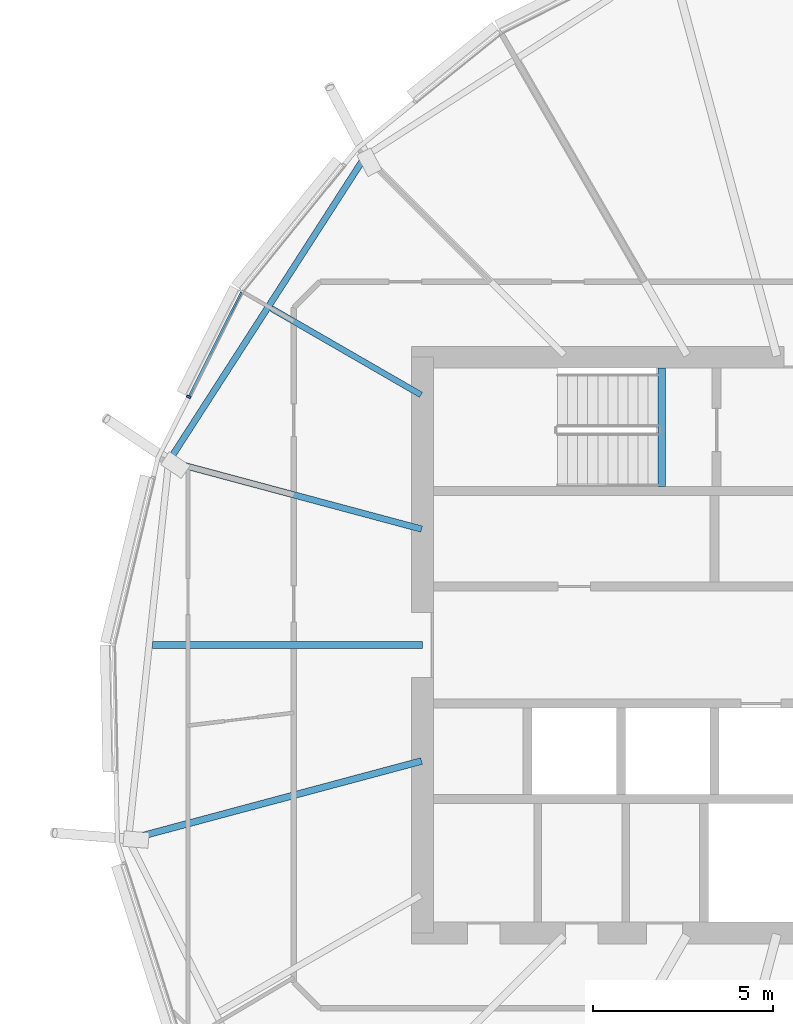
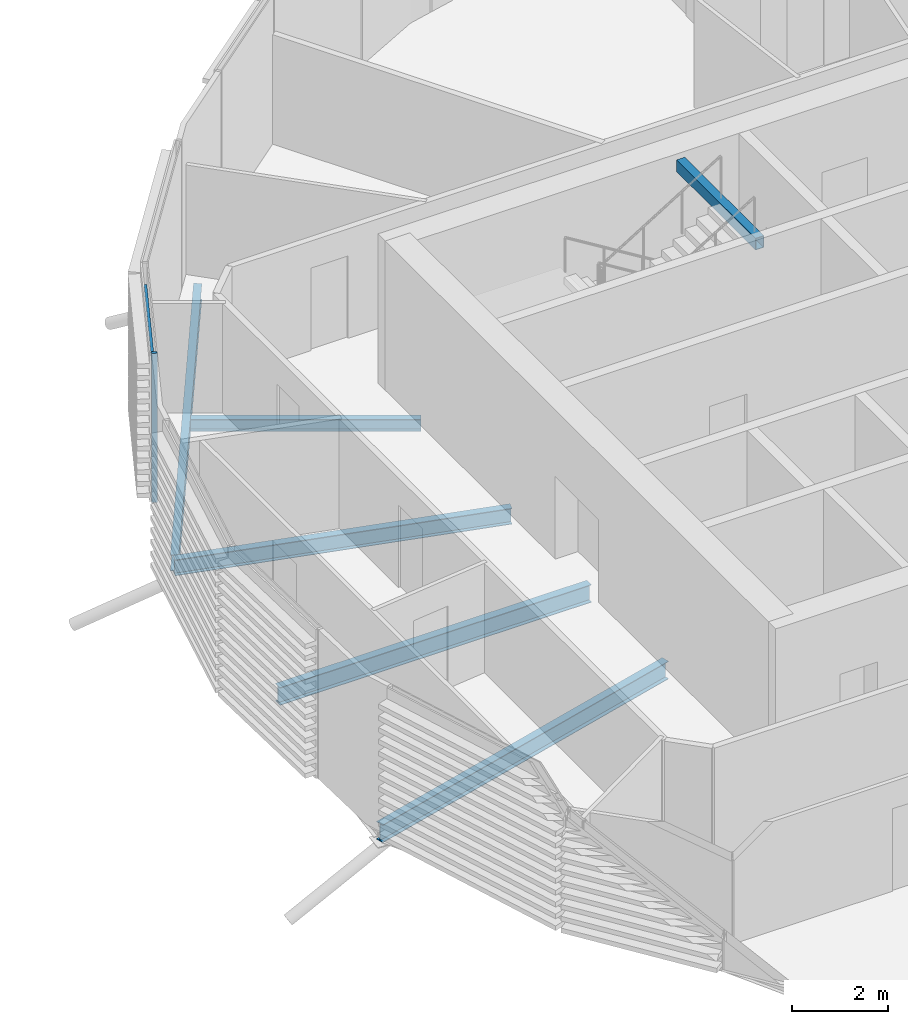
# One storey, part 14 of 38: 6 beams, 2 members, 1 element without a shape of its own.
"""IFC4 building model written with IfcOpenShell, lengths in metres."""

import ifcopenshell
import ifcopenshell.guid

model = None  # the IFC model being written
_history = None  # IfcOwnerHistory: only IFC2X3 demands one
_inside = {}  # id of a spatial element -> (the spatial element, [elements in it])
_under = {}  # id of a project, library or spatial element -> (it, [spatial elements below it])
_declared = {}  # id of a project -> (the project, [libraries it declares])
_typed = {}  # id of a type object -> (the type object, [elements of that type])
_made_of = {}  # id of a material, layer set ... -> (it, [elements and type objects made of it])


def new_model(schema):
    """Start an empty IFC model of exactly this schema.

    Asked for "IFC4X3", IfcOpenShell would pick the latest addendum, in which some entities
    have other attributes; the version numbers below select the first issue.
    IFC2X3 requires an IfcOwnerHistory on every rooted entity: one is made here for all.
    """
    global model, _history
    if schema == "IFC4X3":
        model = ifcopenshell.file(schema_version=(4, 3, 0, 0))
    else:
        model = ifcopenshell.file(schema=schema)
    _inside.clear()
    _under.clear()
    _declared.clear()
    _typed.clear()
    _made_of.clear()
    _history = None
    if model.schema == "IFC2X3":
        org = make("IfcOrganization", Name="unknown")
        user = make(
            "IfcPersonAndOrganization",
            ThePerson=make("IfcPerson", FamilyName="unknown"),
            TheOrganization=org,
        )
        app = make(
            "IfcApplication",
            ApplicationDeveloper=org,
            Version="unknown",
            ApplicationFullName="unknown",
            ApplicationIdentifier="unknown",
        )
        _history = make(
            "IfcOwnerHistory",
            OwningUser=user,
            OwningApplication=app,
            ChangeAction="ADDED",
            CreationDate=0,
        )
    return model


def make(cls, **values):
    """One entity of the class cls with the attributes given. An attribute that is None is left unset."""
    return model.create_entity(
        cls, **{name: value for name, value in values.items() if value is not None}
    )


def rooted(cls, **values):
    """An entity with a GlobalId (a new one), such as an element, a storey or a relation."""
    return make(cls, GlobalId=ifcopenshell.guid.new(), OwnerHistory=_history, **values)


def si_unit(unit_type, name, prefix=None):
    """IfcSIUnit, for example si_unit("LENGTHUNIT", "METRE", prefix="MILLI")."""
    return make("IfcSIUnit", UnitType=unit_type, Prefix=prefix, Name=name)


def assignment(units):
    """IfcUnitAssignment: the units of a project."""
    return None if units is None else make("IfcUnitAssignment", Units=units)


def point(xyz):
    """IfcCartesianPoint."""
    return None if xyz is None else make("IfcCartesianPoint", Coordinates=xyz)


def direction(xyz):
    """IfcDirection."""
    return None if xyz is None else make("IfcDirection", DirectionRatios=xyz)


def frame(location, z_axis=None, x_axis=None):
    """IfcAxis2Placement3D, a coordinate frame: its origin and axes. An axis left out is left unset."""
    return make(
        "IfcAxis2Placement3D",
        Location=point(location),
        Axis=direction(z_axis),
        RefDirection=direction(x_axis),
    )


def frame_2d(location, x_axis=None):
    """IfcAxis2Placement2D, a coordinate frame in the plane: its origin and x axis."""
    return make(
        "IfcAxis2Placement2D", Location=point(location), RefDirection=direction(x_axis)
    )


def origin():
    """The frame at (0, 0, 0) with its axes left unset."""
    return frame((0.0, 0.0, 0.0))


def origin_2d():
    """The frame at (0, 0) in the plane with its x axis left unset."""
    return frame_2d((0.0, 0.0))


def place(relative_to, where):
    """IfcLocalPlacement: puts the frame where relative to a parent placement (None: the world)."""
    return make(
        "IfcLocalPlacement", PlacementRelTo=relative_to, RelativePlacement=where
    )


def context(
    kind, dimensions, precision=None, world=None, true_north=None, identifier=None
):
    """IfcGeometricRepresentationContext, for example the 3D "Model" context."""
    return make(
        "IfcGeometricRepresentationContext",
        ContextIdentifier=identifier,
        ContextType=kind,
        CoordinateSpaceDimension=dimensions,
        Precision=precision,
        WorldCoordinateSystem=world,
        TrueNorth=true_north,
    )


def subcontext(parent, identifier, kind, view, scale=None):
    """IfcGeometricRepresentationSubContext, for example "Body" below "Model"."""
    return make(
        "IfcGeometricRepresentationSubContext",
        ContextIdentifier=identifier,
        ContextType=kind,
        ParentContext=parent,
        TargetScale=scale,
        TargetView=view,
    )


def project(units=None, contexts=None):
    """IfcProject with its units and contexts."""
    return rooted(
        "IfcProject",
        Name="project",
        RepresentationContexts=contexts,
        UnitsInContext=assignment(units),
    )


def spatial(cls, under=None, at=None, **own):
    """A site, building, storey or space (cls), placed at a placement, below another one or the project."""
    s = rooted(cls, ObjectPlacement=at, **own)
    if under is not None:
        _under.setdefault(under.id(), (under, []))[1].append(s)
    return s


def profile(cls, at=None, kind="AREA", **sizes):
    """A parametric profile (cls). Its sizes go by their IFC names, for example OverallWidth=200.0."""
    return make(cls, ProfileType=kind, Position=at, **sizes)


def rectangle(**sizes):
    """IfcRectangleProfileDef."""
    return profile("IfcRectangleProfileDef", **sizes)


def hollow_rectangle(**sizes):
    """IfcRectangleHollowProfileDef."""
    return profile("IfcRectangleHollowProfileDef", **sizes)


def i_section(**sizes):
    """IfcIShapeProfileDef."""
    return profile("IfcIShapeProfileDef", **sizes)


def extrude(swept, where, along, depth):
    """IfcExtrudedAreaSolid: the profile swept, set in the frame where, extruded along a direction by depth."""
    return make(
        "IfcExtrudedAreaSolid",
        SweptArea=swept,
        Position=where,
        ExtrudedDirection=direction(along),
        Depth=depth,
    )


def shape(context_of_items, identifier, shape_type, items):
    """IfcShapeRepresentation: the items that make up one representation, for example the "Body"."""
    return make(
        "IfcShapeRepresentation",
        ContextOfItems=context_of_items,
        RepresentationIdentifier=identifier,
        RepresentationType=shape_type,
        Items=items,
    )


def material(Name=None, Category=None):
    """IfcMaterial."""
    return make("IfcMaterial", Name=Name, Category=Category)


def material_profile(
    of_material, cross_section, Name=None, Category=None, Priority=None
):
    """IfcMaterialProfile: a cross section and its material."""
    return make(
        "IfcMaterialProfile",
        Name=Name,
        Material=of_material,
        Profile=cross_section,
        Priority=Priority,
        Category=Category,
    )


def profile_set(profiles, Name=None, composite=None):
    """IfcMaterialProfileSet."""
    return make(
        "IfcMaterialProfileSet",
        Name=Name,
        MaterialProfiles=profiles,
        CompositeProfile=composite,
    )


def made_of(thing, what):
    """Note that an element or type object is made of a material, layer set ...; save() writes the relation."""
    if what is not None:
        _made_of.setdefault(what.id(), (what, []))[1].append(thing)
    return thing


def type_object(cls, material=None, **own):
    """A type object (cls), such as IfcWallType, which elements share."""
    return made_of(rooted(cls, **own), material)


def element(
    cls,
    number,
    at=None,
    inside=None,
    cuts=None,
    type_object=None,
    material=None,
    context=None,
    identifier="Body",
    shape_type=None,
    held_by="IfcProductDefinitionShape",
    body=None,
    shapes=None,
    **own,
):
    """One element of the class cls, such as IfcWall. Its Tag is "e" and its number.

    at: its placement. inside: the storey or other place that contains it. cuts: it is an
    opening in that element (IfcRelVoidsElement). A single representation is given by context,
    identifier, shape_type and body (its items); several are given by shapes. held_by: the class
    of the entity that holds the representations. save() writes the other relations.
    """
    e = rooted(cls, Tag="e%d" % number, ObjectPlacement=at, **own)
    if body is not None:
        shapes = [shape(context, identifier, shape_type, body)]
    if shapes is not None:
        e.Representation = make(held_by, Representations=shapes)
    if inside is not None:
        _inside.setdefault(inside.id(), (inside, []))[1].append(e)
    if cuts is not None:
        rooted(
            "IfcRelVoidsElement", RelatingBuildingElement=cuts, RelatedOpeningElement=e
        )
    if type_object is not None:
        _typed.setdefault(type_object.id(), (type_object, []))[1].append(e)
    return made_of(e, material)


def aggregate(whole, parts):
    """IfcRelAggregates: a whole, such as a stair, and the parts it consists of."""
    return rooted("IfcRelAggregates", RelatingObject=whole, RelatedObjects=parts)


def save(model, path):
    """Write the relations noted so far, then the file.

    IfcRelAggregates (storeys below a building ...), IfcRelContainedInSpatialStructure (elements
    in a storey), IfcRelDefinesByType, IfcRelAssociatesMaterial and IfcRelDeclares: one each for
    every whole, place, type object, material and project.
    """
    for whole, parts in _under.values():
        aggregate(whole, parts)
    for where, things in _inside.values():
        rooted(
            "IfcRelContainedInSpatialStructure",
            RelatedElements=things,
            RelatingStructure=where,
        )
    for kind, things in _typed.values():
        rooted("IfcRelDefinesByType", RelatedObjects=things, RelatingType=kind)
    for what, things in _made_of.values():
        rooted("IfcRelAssociatesMaterial", RelatedObjects=things, RelatingMaterial=what)
    for by, libraries in _declared.values():
        rooted("IfcRelDeclares", RelatingContext=by, RelatedDefinitions=libraries)
    model.write(path)


model = new_model("IFC4")

# Units and contexts
model_context = context("Model", 3, precision=1e-05, world=origin(), true_north=direction((0.0, 1.0)))
body_context = subcontext(model_context, "Body", "Model", "MODEL_VIEW")
ifc_project = project(units=[si_unit("LENGTHUNIT", "METRE"), si_unit("AREAUNIT", "SQUARE_METRE"), si_unit("VOLUMEUNIT", "CUBIC_METRE"), si_unit("PLANEANGLEUNIT", "RADIAN"), si_unit("MASSUNIT", "GRAM", prefix="KILO")], contexts=[model_context])

# Site, building, storey
site_placement = place(None, origin())
site = spatial("IfcSite", under=ifc_project, at=site_placement, CompositionType="ELEMENT")
building_placement = place(site_placement, origin())
building = spatial("IfcBuilding", under=site, at=building_placement, Name="Rimbun Link Towers", CompositionType="ELEMENT")
storey_placement = place(building_placement, frame((0.0, 0.0, 185.5)))
storey = spatial("IfcBuildingStorey", under=building, at=storey_placement, Name="L45", CompositionType="ELEMENT", Elevation=185.5)

# Curtain wall, members
ifc_material_1 = material(Name="Aluminium 6063-T6 and low-iron glass", Category="aluminium")
curtain_wall_type = type_object("IfcCurtainWallType", Name="CW1-Z3 unitised vision wall (zone 3)", PredefinedType="NOTDEFINED", material=ifc_material_1)
curtain_wall_placement = place(storey_placement, origin())
curtain_wall = element("IfcCurtainWall", 1, at=curtain_wall_placement, inside=storey, type_object=curtain_wall_type, Name="CW1 L45 T2", PredefinedType="NOTDEFINED")
ifc_material_2 = material(Name="Aluminium 6063-T6", Category="aluminium")
ifc_material_profile_1 = material_profile(ifc_material_2, rectangle(XDim=0.1201171875, YDim=0.06005859375, at=origin_2d()), Name="MULLION 60X120")
ifc_profile_set_1 = profile_set([ifc_material_profile_1], Name="Aluminium 6063-T6")
member_type_1 = type_object("IfcMemberType", Name="CW1 mullion 60X120", PredefinedType="MULLION", material=ifc_profile_set_1)
member_1_placement = place(storey_placement, frame((13.25146484375, 6.8955078125, 0.0), z_axis=(0.0, 0.0, 1.0), x_axis=(-0.893641971467, 0.448780599884, 0.0)))
member_1 = element("IfcMember", 2, at=member_1_placement, type_object=member_type_1, Name="CW1 mullion", PredefinedType="MULLION", context=body_context, shape_type="SweptSolid", body=[
    extrude(rectangle(XDim=0.1201171875, YDim=0.06005859375, at=origin_2d()), origin(), (0.0, 0.0, 1.0), 3.800048828125),
])
ifc_material_3 = material(Name="Aluminium 6063-T6", Category="aluminium")
ifc_material_profile_2 = material_profile(ifc_material_3, rectangle(XDim=0.06005859375, YDim=0.1201171875, at=origin_2d()), Name="TRANSOM 60X120")
ifc_profile_set_2 = profile_set([ifc_material_profile_2], Name="Aluminium 6063-T6")
member_type_2 = type_object("IfcMemberType", Name="CW1 transom 60X120", PredefinedType="USERDEFINED", material=ifc_profile_set_2)
member_2_placement = place(storey_placement, frame((13.266845703125, 6.92138671875, 3.199951171875), z_axis=(0.448759851443, 0.893652390884, 0.0), x_axis=(-0.893652390884, 0.448759851443, 0.0)))
member_2 = element("IfcMember", 3, at=member_2_placement, type_object=member_type_2, Name="CW1 transom", ObjectType="TRANSOM", PredefinedType="USERDEFINED", context=body_context, shape_type="SweptSolid", body=[
    extrude(rectangle(XDim=0.06005859375, YDim=0.1201171875, at=origin_2d()), origin(), (0.0, 0.0, 1.0), 3.219482421875),
])
aggregate(curtain_wall, [member_1, member_2])

# Beams
ifc_material_4 = material(Name="Steel S355J2", Category="steel")
ifc_material_profile_3 = material_profile(ifc_material_4, hollow_rectangle(XDim=0.199951171875, YDim=0.300048828125, WallThickness=0.011962890625, at=origin_2d()), Name="BOX 300x200x12")
ifc_profile_set_3 = profile_set([ifc_material_profile_3], Name="Steel S355J2")
beam_type_1 = type_object("IfcBeamType", Name="Stair trimmer beam BOX 300x200x12", PredefinedType="BEAM", material=ifc_profile_set_3)
beam_1_placement = place(storey_placement, frame((26.39990234375, 7.699951171875, 3.5), z_axis=(0.0, -1.0, 0.0), x_axis=(1.0, 0.0, 0.0)))
element("IfcBeam", 4, at=beam_1_placement, inside=storey, type_object=beam_type_1, Name="L45 ST3 stair beam 1", PredefinedType="BEAM", context=body_context, shape_type="SweptSolid", body=[
    extrude(hollow_rectangle(XDim=0.199951171875, YDim=0.300048828125, WallThickness=0.011962890625, at=origin_2d()), origin(), (0.0, 0.0, 1.0), 3.300048828125),
])
ifc_material_5 = material(Name="Steel S355J2", Category="steel")
ifc_material_profile_4 = material_profile(ifc_material_5, i_section(OverallWidth=0.1650390625, OverallDepth=0.303466796875, WebThickness=0.006103515625, FlangeThickness=0.01025390625, at=origin_2d()), Name="UB 305x165x40")
ifc_profile_set_4 = profile_set([ifc_material_profile_4], Name="Steel S355J2")
beam_type_2 = type_object("IfcBeamType", Name="UB 305x165x40", PredefinedType="BEAM", material=ifc_profile_set_4)
beam_2_placement = place(storey_placement, frame((19.7080078125, 6.952392578125, -0.3017578125), z_axis=(-0.86601219566, 0.500022876445, 0.0), x_axis=(-0.500022876445, -0.86601219566, 0.0)))
element("IfcBeam", 5, at=beam_2_placement, inside=storey, type_object=beam_type_2, Name="Radial beam T2 L45 07", PredefinedType="BEAM", context=body_context, shape_type="SweptSolid", body=[
    extrude(i_section(OverallWidth=0.1650390625, OverallDepth=0.303466796875, WebThickness=0.006103515625, FlangeThickness=0.01025390625, at=origin_2d()), origin(), (0.0, 0.0, 1.0), 4.806884765625),
])
ifc_material_6 = material(Name="Steel S355J2", Category="steel")
ifc_material_profile_5 = material_profile(ifc_material_6, i_section(OverallWidth=0.177978515625, OverallDepth=0.406494140625, WebThickness=0.0078125, FlangeThickness=0.0126953125, at=origin_2d()), Name="UB 406x178x60")
ifc_profile_set_5 = profile_set([ifc_material_profile_5], Name="Steel S355J2")
beam_type_3 = type_object("IfcBeamType", Name="UB 406x178x60", PredefinedType="BEAM", material=ifc_profile_set_5)
beam_3_placement = place(storey_placement, frame((19.72607421875, 3.2216796875, -0.353271484375), z_axis=(-0.965918389511, 0.25884679794, 0.0), x_axis=(-0.25884679794, -0.965918389511, 0.0)))
element("IfcBeam", 6, at=beam_3_placement, inside=storey, type_object=beam_type_3, Name="Radial beam T2 L45 08", PredefinedType="BEAM", context=body_context, shape_type="SweptSolid", body=[
    extrude(i_section(OverallWidth=0.177978515625, OverallDepth=0.406494140625, WebThickness=0.0078125, FlangeThickness=0.0126953125, at=origin_2d()), origin(), (0.0, 0.0, 1.0), 7.27490234375),
])
beam_4_placement = place(storey_placement, frame((18.114013671875, 13.5087890625, -0.353271484375), z_axis=(-0.541627011248, -0.840618927152, 0.0), x_axis=(0.840618927152, -0.541627011248, 0.0)))
element("IfcBeam", 7, at=beam_4_placement, inside=storey, type_object=beam_type_3, Name="Edge beam T2 L45 06-08", PredefinedType="BEAM", context=body_context, shape_type="SweptSolid", body=[
    extrude(i_section(OverallWidth=0.177978515625, OverallDepth=0.406494140625, WebThickness=0.0078125, FlangeThickness=0.0126953125, at=origin_2d()), origin(), (0.0, 0.0, 1.0), 9.903076171875),
])
ifc_material_7 = material(Name="Steel S355J2", Category="steel")
ifc_material_profile_6 = material_profile(ifc_material_7, i_section(OverallWidth=0.18994140625, OverallDepth=0.453369140625, WebThickness=0.008544921875, FlangeThickness=0.0126953125, at=origin_2d()), Name="UB 457x191x67")
ifc_profile_set_6 = profile_set([ifc_material_profile_6], Name="Steel S355J2")
beam_type_4 = type_object("IfcBeamType", Name="UB 457x191x67", PredefinedType="BEAM", material=ifc_profile_set_6)
beam_5_placement = place(storey_placement, frame((19.7490234375, 0.0, -0.376708984375), z_axis=(-1.0, 0.0, 0.0), x_axis=(0.0, -1.0, 0.0)))
element("IfcBeam", 8, at=beam_5_placement, inside=storey, type_object=beam_type_4, Name="Radial beam T2 L45 09", PredefinedType="BEAM", context=body_context, shape_type="SweptSolid", body=[
    extrude(i_section(OverallWidth=0.18994140625, OverallDepth=0.453369140625, WebThickness=0.008544921875, FlangeThickness=0.0126953125, at=origin_2d()), origin(), (0.0, 0.0, 1.0), 7.503173828125),
])
beam_6_placement = place(storey_placement, frame((19.724609375, -3.22216796875, -0.376708984375), z_axis=(-0.965926209988, -0.258817613114, 0.0), x_axis=(0.258817613114, -0.965926209988, 0.0)))
element("IfcBeam", 9, at=beam_6_placement, inside=storey, type_object=beam_type_4, Name="Radial beam T2 L45 10", PredefinedType="BEAM", context=body_context, shape_type="SweptSolid", body=[
    extrude(i_section(OverallWidth=0.18994140625, OverallDepth=0.453369140625, WebThickness=0.008544921875, FlangeThickness=0.0126953125, at=origin_2d()), origin(), (0.0, 0.0, 1.0), 8.43212890625),
])

save(model, "model.ifc")
